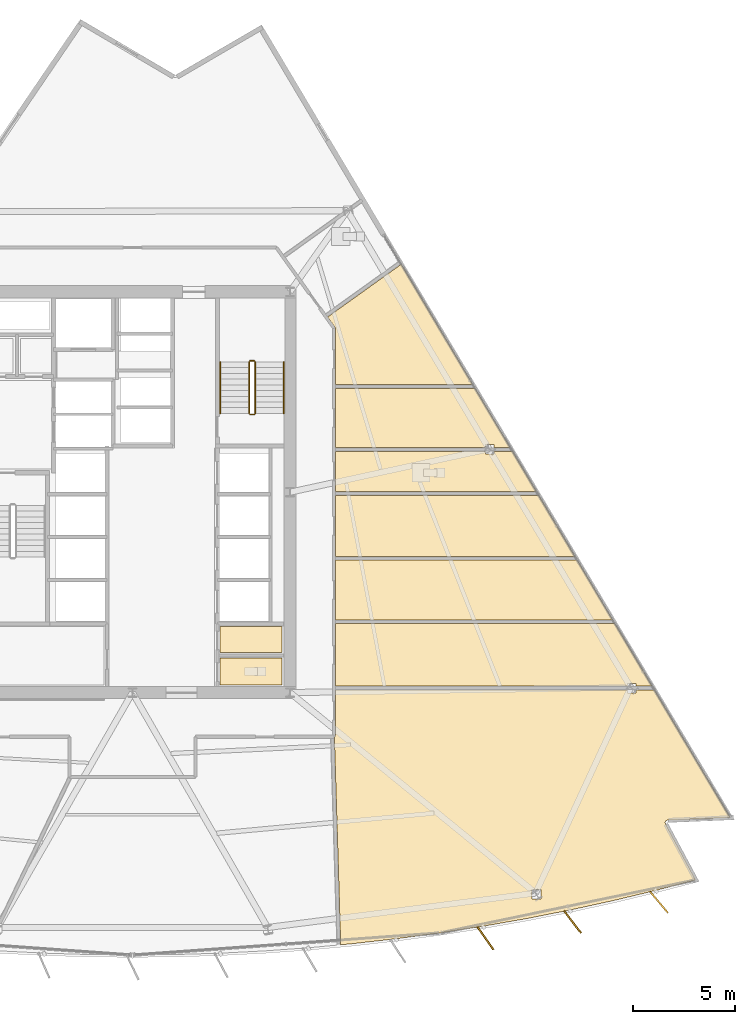
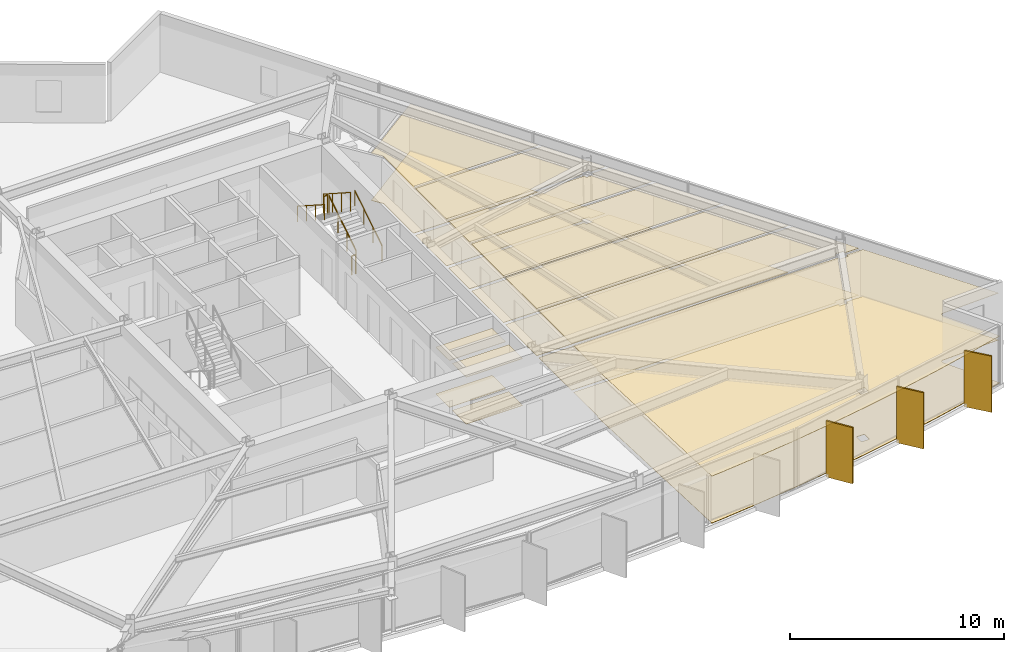
# One storey, part 15 of 17: 18 coverings, 6 railings, 3 shading devices.
"""IFC4 building model written with IfcOpenShell, lengths in metres."""

import ifcopenshell
import ifcopenshell.guid

model = None  # the IFC model being written
_history = None  # IfcOwnerHistory: only IFC2X3 demands one
_inside = {}  # id of a spatial element -> (the spatial element, [elements in it])
_under = {}  # id of a project, library or spatial element -> (it, [spatial elements below it])
_declared = {}  # id of a project -> (the project, [libraries it declares])
_typed = {}  # id of a type object -> (the type object, [elements of that type])
_made_of = {}  # id of a material, layer set ... -> (it, [elements and type objects made of it])


def new_model(schema):
    """Start an empty IFC model of exactly this schema.

    Asked for "IFC4X3", IfcOpenShell would pick the latest addendum, in which some entities
    have other attributes; the version numbers below select the first issue.
    IFC2X3 requires an IfcOwnerHistory on every rooted entity: one is made here for all.
    """
    global model, _history
    if schema == "IFC4X3":
        model = ifcopenshell.file(schema_version=(4, 3, 0, 0))
    else:
        model = ifcopenshell.file(schema=schema)
    _inside.clear()
    _under.clear()
    _declared.clear()
    _typed.clear()
    _made_of.clear()
    _history = None
    if model.schema == "IFC2X3":
        org = make("IfcOrganization", Name="unknown")
        user = make(
            "IfcPersonAndOrganization",
            ThePerson=make("IfcPerson", FamilyName="unknown"),
            TheOrganization=org,
        )
        app = make(
            "IfcApplication",
            ApplicationDeveloper=org,
            Version="unknown",
            ApplicationFullName="unknown",
            ApplicationIdentifier="unknown",
        )
        _history = make(
            "IfcOwnerHistory",
            OwningUser=user,
            OwningApplication=app,
            ChangeAction="ADDED",
            CreationDate=0,
        )
    return model


def make(cls, **values):
    """One entity of the class cls with the attributes given. An attribute that is None is left unset."""
    return model.create_entity(
        cls, **{name: value for name, value in values.items() if value is not None}
    )


def rooted(cls, **values):
    """An entity with a GlobalId (a new one), such as an element, a storey or a relation."""
    return make(cls, GlobalId=ifcopenshell.guid.new(), OwnerHistory=_history, **values)


def si_unit(unit_type, name, prefix=None):
    """IfcSIUnit, for example si_unit("LENGTHUNIT", "METRE", prefix="MILLI")."""
    return make("IfcSIUnit", UnitType=unit_type, Prefix=prefix, Name=name)


def assignment(units):
    """IfcUnitAssignment: the units of a project."""
    return None if units is None else make("IfcUnitAssignment", Units=units)


def point(xyz):
    """IfcCartesianPoint."""
    return None if xyz is None else make("IfcCartesianPoint", Coordinates=xyz)


def direction(xyz):
    """IfcDirection."""
    return None if xyz is None else make("IfcDirection", DirectionRatios=xyz)


def frame(location, z_axis=None, x_axis=None):
    """IfcAxis2Placement3D, a coordinate frame: its origin and axes. An axis left out is left unset."""
    return make(
        "IfcAxis2Placement3D",
        Location=point(location),
        Axis=direction(z_axis),
        RefDirection=direction(x_axis),
    )


def frame_2d(location, x_axis=None):
    """IfcAxis2Placement2D, a coordinate frame in the plane: its origin and x axis."""
    return make(
        "IfcAxis2Placement2D", Location=point(location), RefDirection=direction(x_axis)
    )


def origin():
    """The frame at (0, 0, 0) with its axes left unset."""
    return frame((0.0, 0.0, 0.0))


def origin_2d():
    """The frame at (0, 0) in the plane with its x axis left unset."""
    return frame_2d((0.0, 0.0))


def place(relative_to, where):
    """IfcLocalPlacement: puts the frame where relative to a parent placement (None: the world)."""
    return make(
        "IfcLocalPlacement", PlacementRelTo=relative_to, RelativePlacement=where
    )


def context(
    kind, dimensions, precision=None, world=None, true_north=None, identifier=None
):
    """IfcGeometricRepresentationContext, for example the 3D "Model" context."""
    return make(
        "IfcGeometricRepresentationContext",
        ContextIdentifier=identifier,
        ContextType=kind,
        CoordinateSpaceDimension=dimensions,
        Precision=precision,
        WorldCoordinateSystem=world,
        TrueNorth=true_north,
    )


def subcontext(parent, identifier, kind, view, scale=None):
    """IfcGeometricRepresentationSubContext, for example "Body" below "Model"."""
    return make(
        "IfcGeometricRepresentationSubContext",
        ContextIdentifier=identifier,
        ContextType=kind,
        ParentContext=parent,
        TargetScale=scale,
        TargetView=view,
    )


def project(units=None, contexts=None):
    """IfcProject with its units and contexts."""
    return rooted(
        "IfcProject",
        Name="project",
        RepresentationContexts=contexts,
        UnitsInContext=assignment(units),
    )


def spatial(cls, under=None, at=None, **own):
    """A site, building, storey or space (cls), placed at a placement, below another one or the project."""
    s = rooted(cls, ObjectPlacement=at, **own)
    if under is not None:
        _under.setdefault(under.id(), (under, []))[1].append(s)
    return s


def polyline(points):
    """IfcPolyline through the points."""
    return make("IfcPolyline", Points=[point(p) for p in points])


def profile(cls, at=None, kind="AREA", **sizes):
    """A parametric profile (cls). Its sizes go by their IFC names, for example OverallWidth=200.0."""
    return make(cls, ProfileType=kind, Position=at, **sizes)


def rectangle(**sizes):
    """IfcRectangleProfileDef."""
    return profile("IfcRectangleProfileDef", **sizes)


def circle(**sizes):
    """IfcCircleProfileDef."""
    return profile("IfcCircleProfileDef", **sizes)


def outline(outer, holes=None, kind="AREA"):
    """IfcArbitraryClosedProfileDef: a profile drawn as a closed curve; with holes, ...WithVoids."""
    if holes is None:
        return make("IfcArbitraryClosedProfileDef", ProfileType=kind, OuterCurve=outer)
    return make(
        "IfcArbitraryProfileDefWithVoids",
        ProfileType=kind,
        OuterCurve=outer,
        InnerCurves=holes,
    )


def extrude(swept, where, along, depth):
    """IfcExtrudedAreaSolid: the profile swept, set in the frame where, extruded along a direction by depth."""
    return make(
        "IfcExtrudedAreaSolid",
        SweptArea=swept,
        Position=where,
        ExtrudedDirection=direction(along),
        Depth=depth,
    )


def shape(context_of_items, identifier, shape_type, items):
    """IfcShapeRepresentation: the items that make up one representation, for example the "Body"."""
    return make(
        "IfcShapeRepresentation",
        ContextOfItems=context_of_items,
        RepresentationIdentifier=identifier,
        RepresentationType=shape_type,
        Items=items,
    )


def material(Name=None, Category=None):
    """IfcMaterial."""
    return make("IfcMaterial", Name=Name, Category=Category)


def layer(
    of_material, thickness, ventilated=None, Name=None, Category=None, Priority=None
):
    """IfcMaterialLayer: one layer of a wall or slab, of a material (None: an air gap)."""
    return make(
        "IfcMaterialLayer",
        Material=of_material,
        LayerThickness=thickness,
        IsVentilated=ventilated,
        Name=Name,
        Category=Category,
        Priority=Priority,
    )


def layer_set(layers, Name=None):
    """IfcMaterialLayerSet."""
    return make("IfcMaterialLayerSet", MaterialLayers=layers, LayerSetName=Name)


def made_of(thing, what):
    """Note that an element or type object is made of a material, layer set ...; save() writes the relation."""
    if what is not None:
        _made_of.setdefault(what.id(), (what, []))[1].append(thing)
    return thing


def type_object(cls, material=None, **own):
    """A type object (cls), such as IfcWallType, which elements share."""
    return made_of(rooted(cls, **own), material)


def element(
    cls,
    number,
    at=None,
    inside=None,
    cuts=None,
    type_object=None,
    material=None,
    context=None,
    identifier="Body",
    shape_type=None,
    held_by="IfcProductDefinitionShape",
    body=None,
    shapes=None,
    **own,
):
    """One element of the class cls, such as IfcWall. Its Tag is "e" and its number.

    at: its placement. inside: the storey or other place that contains it. cuts: it is an
    opening in that element (IfcRelVoidsElement). A single representation is given by context,
    identifier, shape_type and body (its items); several are given by shapes. held_by: the class
    of the entity that holds the representations. save() writes the other relations.
    """
    e = rooted(cls, Tag="e%d" % number, ObjectPlacement=at, **own)
    if body is not None:
        shapes = [shape(context, identifier, shape_type, body)]
    if shapes is not None:
        e.Representation = make(held_by, Representations=shapes)
    if inside is not None:
        _inside.setdefault(inside.id(), (inside, []))[1].append(e)
    if cuts is not None:
        rooted(
            "IfcRelVoidsElement", RelatingBuildingElement=cuts, RelatedOpeningElement=e
        )
    if type_object is not None:
        _typed.setdefault(type_object.id(), (type_object, []))[1].append(e)
    return made_of(e, material)


def aggregate(whole, parts):
    """IfcRelAggregates: a whole, such as a stair, and the parts it consists of."""
    return rooted("IfcRelAggregates", RelatingObject=whole, RelatedObjects=parts)


def save(model, path):
    """Write the relations noted so far, then the file.

    IfcRelAggregates (storeys below a building ...), IfcRelContainedInSpatialStructure (elements
    in a storey), IfcRelDefinesByType, IfcRelAssociatesMaterial and IfcRelDeclares: one each for
    every whole, place, type object, material and project.
    """
    for whole, parts in _under.values():
        aggregate(whole, parts)
    for where, things in _inside.values():
        rooted(
            "IfcRelContainedInSpatialStructure",
            RelatedElements=things,
            RelatingStructure=where,
        )
    for kind, things in _typed.values():
        rooted("IfcRelDefinesByType", RelatedObjects=things, RelatingType=kind)
    for what, things in _made_of.values():
        rooted("IfcRelAssociatesMaterial", RelatedObjects=things, RelatingMaterial=what)
    for by, libraries in _declared.values():
        rooted("IfcRelDeclares", RelatingContext=by, RelatedDefinitions=libraries)
    model.write(path)


model = new_model("IFC4")

# Units and contexts
model_context = context("Model", 3, precision=1e-05, world=origin(), true_north=direction((0.0, 1.0)))
body_context = subcontext(model_context, "Body", "Model", "MODEL_VIEW")
ifc_project = project(units=[si_unit("LENGTHUNIT", "METRE"), si_unit("AREAUNIT", "SQUARE_METRE"), si_unit("VOLUMEUNIT", "CUBIC_METRE"), si_unit("PLANEANGLEUNIT", "RADIAN"), si_unit("MASSUNIT", "GRAM", prefix="KILO")], contexts=[model_context])

# Site, building, storey
site_placement = place(None, origin())
site = spatial("IfcSite", under=ifc_project, at=site_placement, CompositionType="ELEMENT")
building_placement = place(site_placement, origin())
building = spatial("IfcBuilding", under=site, at=building_placement, Name="Savorim Split Tower", CompositionType="ELEMENT")
storey_placement = place(building_placement, frame((0.0, 0.0, 55.199951171875)))
storey = spatial("IfcBuildingStorey", under=building, at=storey_placement, Name="L14", CompositionType="ELEMENT", Elevation=55.199951171875)

# Coverings
ifc_material_1 = material(Name="Mineral Fibre Acoustic Ceiling")
ifc_layer_1 = layer(ifc_material_1, 0.02490234375)
ifc_layer_set_1 = layer_set([ifc_layer_1], Name="COV-CEIL-25")
covering_type_1 = type_object("IfcCoveringType", Name="COV-CEIL-25", PredefinedType="CEILING", material=ifc_layer_set_1)
covering_1_placement = place(storey_placement, frame((0.0, 0.0, 2.670166015625)))
element("IfcCovering", 1, at=covering_1_placement, inside=storey, type_object=covering_type_1, Name="L14 Accessible WC Acoustic Ceiling", PredefinedType="CEILING", context=body_context, shape_type="SweptSolid", body=[
    extrude(outline(polyline([(4.280029296875, -7.719970703125), (4.280029296875, -9.02001953125), (7.320068359375, -9.02001953125), (7.320068359375, -7.719970703125), (4.280029296875, -7.719970703125)])), origin(), (0.0, 0.0, 1.0), 0.02490234375),
])
covering_2_placement = place(storey_placement, frame((0.0, 0.0, 2.670166015625)))
element("IfcCovering", 2, at=covering_2_placement, inside=storey, type_object=covering_type_1, Name="L14 Cleaning Store Acoustic Ceiling", PredefinedType="CEILING", context=body_context, shape_type="SweptSolid", body=[
    extrude(outline(polyline([(4.280029296875, -6.179931640625), (4.280029296875, -7.43994140625), (7.320068359375, -7.43994140625), (7.320068359375, -6.179931640625), (4.280029296875, -6.179931640625)])), origin(), (0.0, 0.0, 1.0), 0.02490234375),
])
covering_3_placement = place(storey_placement, frame((0.0, 0.0, 2.670166015625)))
element("IfcCovering", 3, at=covering_3_placement, inside=storey, type_object=covering_type_1, Name="L14 Co-Working Commons Acoustic Ceiling", PredefinedType="CEILING", context=body_context, shape_type="SweptSolid", body=[
    extrude(outline(polyline([(26.14453125, -15.643798828125), (26.15576171875, -15.6416015625), (26.167236328125, -15.640380859375), (29.23046875, -15.51025390625), (25.50537109375, -9.24560546875), (25.50537109375, -9.27880859375), (24.63037109375, -9.27880859375), (24.63037109375, -9.4111328125), (24.1982421875, -9.4111328125), (24.1982421875, -9.27880859375), (9.919921875, -9.27880859375), (9.919921875, -11.47998046875), (9.919189453125, -11.49365234375), (9.917236328125, -11.50732421875), (9.9140625, -11.5205078125), (9.9091796875, -11.53369140625), (9.903564453125, -11.5458984375), (9.896484375, -11.557861328125), (9.88818359375, -11.56884765625), (9.87890625, -11.5791015625), (9.873779296875, -11.58349609375), (10.18359375, -21.732421875), (10.756591796875, -21.6796875), (12.898193359375, -21.4375), (15.0341796875, -21.15185546875), (17.163818359375, -20.822265625), (19.286376953125, -20.44921875), (21.40087890625, -20.032958984375), (23.50634765625, -19.573486328125), (25.601806640625, -19.071044921875), (27.54052734375, -18.564208984375), (26.066650390625, -15.817138671875), (26.061767578125, -15.806640625), (26.057861328125, -15.7958984375), (26.054931640625, -15.78466796875), (26.052978515625, -15.773193359375), (26.052490234375, -15.76171875), (26.052734375, -15.750244140625), (26.054443359375, -15.73876953125), (26.056884765625, -15.7275390625), (26.060791015625, -15.716552734375), (26.0654296875, -15.7060546875), (26.071044921875, -15.696044921875), (26.077880859375, -15.6865234375), (26.085205078125, -15.677978515625), (26.093505859375, -15.669921875), (26.102783203125, -15.66259765625), (26.1123046875, -15.656494140625), (26.122802734375, -15.651123046875), (26.13330078125, -15.64697265625), (26.14453125, -15.643798828125)]), holes=[polyline([(19.96875, -19.4931640625), (19.96875, -19.0380859375), (19.53662109375, -19.0380859375), (19.53662109375, -19.4931640625), (19.96875, -19.4931640625)])]), origin(), (0.0, 0.0, 1.0), 0.02490234375),
])
covering_4_placement = place(storey_placement, frame((0.0, 0.0, 2.670166015625)))
element("IfcCovering", 4, at=covering_4_placement, inside=storey, type_object=covering_type_1, Name="L14 Quiet Study Room Acoustic Ceiling", PredefinedType="CEILING", context=body_context, shape_type="SweptSolid", body=[
    extrude(outline(polyline([(24.63037109375, -8.956298828125), (24.63037109375, -9.088623046875), (25.410400390625, -9.088623046875), (25.412109375, -9.088623046875), (23.594482421875, -6.0322265625), (9.919921875, -6.0322265625), (9.919921875, -9.088623046875), (24.1982421875, -9.088623046875), (24.1982421875, -8.956298828125), (24.63037109375, -8.956298828125)])), origin(), (0.0, 0.0, 1.0), 0.02490234375),
])
covering_5_placement = place(storey_placement, frame((0.0, 0.0, 2.670166015625)))
element("IfcCovering", 5, at=covering_5_placement, inside=storey, type_object=covering_type_1, Name="L14 Quiet Study Room Acoustic Ceiling", PredefinedType="CEILING", context=body_context, shape_type="SweptSolid", body=[
    extrude(outline(polyline([(23.481689453125, -5.84228515625), (21.74853515625, -2.927734375), (9.919921875, -2.927734375), (9.919921875, -5.84228515625), (23.481689453125, -5.84228515625)])), origin(), (0.0, 0.0, 1.0), 0.02490234375),
])
covering_6_placement = place(storey_placement, frame((0.0, 0.0, 2.670166015625)))
element("IfcCovering", 6, at=covering_6_placement, inside=storey, type_object=covering_type_1, Name="L14 Quiet Study Room Acoustic Ceiling", PredefinedType="CEILING", context=body_context, shape_type="SweptSolid", body=[
    extrude(outline(polyline([(21.635498046875, -2.73779296875), (19.8603515625, 0.247802734375), (9.919921875, 0.247802734375), (9.919921875, -2.73779296875), (21.635498046875, -2.73779296875)])), origin(), (0.0, 0.0, 1.0), 0.02490234375),
])
covering_7_placement = place(storey_placement, frame((0.0, 0.0, 2.670166015625)))
element("IfcCovering", 7, at=covering_7_placement, inside=storey, type_object=covering_type_1, Name="L14 Shared Bathroom Acoustic Ceiling", PredefinedType="CEILING", context=body_context, shape_type="SweptSolid", body=[
    extrude(outline(polyline([(17.25439453125, 2.26708984375), (17.25439453125, 2.3994140625), (9.919921875, 2.3994140625), (9.919921875, 0.437744140625), (19.747314453125, 0.437744140625), (18.561279296875, 2.4326171875), (18.561279296875, 2.3994140625), (17.686279296875, 2.3994140625), (17.686279296875, 2.26708984375), (17.25439453125, 2.26708984375)])), origin(), (0.0, 0.0, 1.0), 0.02490234375),
])
covering_8_placement = place(storey_placement, frame((0.0, 0.0, 2.670166015625)))
element("IfcCovering", 8, at=covering_8_placement, inside=storey, type_object=covering_type_1, Name="L14 Maker Workshop Acoustic Ceiling", PredefinedType="CEILING", context=body_context, shape_type="SweptSolid", body=[
    extrude(outline(polyline([(17.686279296875, 2.721923828125), (17.686279296875, 2.589599609375), (18.46630859375, 2.589599609375), (18.468017578125, 2.589599609375), (16.754638671875, 5.470703125), (9.919921875, 5.470703125), (9.919921875, 2.589599609375), (17.25439453125, 2.589599609375), (17.25439453125, 2.721923828125), (17.686279296875, 2.721923828125)])), origin(), (0.0, 0.0, 1.0), 0.02490234375),
])
covering_9_placement = place(storey_placement, frame((0.0, 0.0, 2.670166015625)))
element("IfcCovering", 9, at=covering_9_placement, inside=storey, type_object=covering_type_1, Name="L14 Quiet Study Room Acoustic Ceiling", PredefinedType="CEILING", context=body_context, shape_type="SweptSolid", body=[
    extrude(outline(polyline([(9.9169921875, 8.4287109375), (9.919189453125, 8.41455078125), (9.919921875, 8.39990234375), (9.919921875, 5.66064453125), (16.641845703125, 5.66064453125), (13.14208984375, 11.5458984375), (9.544921875, 8.968505859375), (9.893798828125, 8.4814453125), (9.901611328125, 8.46923828125), (9.908203125, 8.456298828125), (9.913330078125, 8.44287109375), (9.9169921875, 8.4287109375)])), origin(), (0.0, 0.0, 1.0), 0.02490234375),
])
ifc_material_2 = material(Name="Porcelain Stoneware Flooring", Category="masonry")
ifc_layer_2 = layer(ifc_material_2, 0.02001953125)
ifc_layer_set_2 = layer_set([ifc_layer_2], Name="COV-FLOR-20")
covering_type_2 = type_object("IfcCoveringType", Name="COV-FLOR-20", PredefinedType="FLOORING", material=ifc_layer_set_2)
covering_10_placement = place(storey_placement, origin())
element("IfcCovering", 10, at=covering_10_placement, inside=storey, type_object=covering_type_2, Name="L14 Accessible WC Porcelain Flooring", PredefinedType="FLOORING", context=body_context, shape_type="SweptSolid", body=[
    extrude(outline(polyline([(4.280029296875, -7.719970703125), (4.280029296875, -9.02001953125), (7.320068359375, -9.02001953125), (7.320068359375, -7.719970703125), (4.280029296875, -7.719970703125)])), origin(), (0.0, 0.0, 1.0), 0.02001953125),
])
covering_11_placement = place(storey_placement, origin())
element("IfcCovering", 11, at=covering_11_placement, inside=storey, type_object=covering_type_2, Name="L14 Cleaning Store Porcelain Flooring", PredefinedType="FLOORING", context=body_context, shape_type="SweptSolid", body=[
    extrude(outline(polyline([(4.280029296875, -6.179931640625), (4.280029296875, -7.43994140625), (7.320068359375, -7.43994140625), (7.320068359375, -6.179931640625), (4.280029296875, -6.179931640625)])), origin(), (0.0, 0.0, 1.0), 0.02001953125),
])
covering_12_placement = place(storey_placement, origin())
element("IfcCovering", 12, at=covering_12_placement, inside=storey, type_object=covering_type_2, Name="L14 Co-Working Commons Porcelain Flooring", PredefinedType="FLOORING", context=body_context, shape_type="SweptSolid", body=[
    extrude(outline(polyline([(26.14453125, -15.643798828125), (26.15576171875, -15.6416015625), (26.167236328125, -15.640380859375), (29.23046875, -15.51025390625), (25.50537109375, -9.24560546875), (25.50537109375, -9.27880859375), (24.63037109375, -9.27880859375), (24.63037109375, -9.4111328125), (24.1982421875, -9.4111328125), (24.1982421875, -9.27880859375), (9.919921875, -9.27880859375), (9.919921875, -11.47998046875), (9.919189453125, -11.49365234375), (9.917236328125, -11.50732421875), (9.9140625, -11.5205078125), (9.9091796875, -11.53369140625), (9.903564453125, -11.5458984375), (9.896484375, -11.557861328125), (9.88818359375, -11.56884765625), (9.87890625, -11.5791015625), (9.873779296875, -11.58349609375), (10.18359375, -21.732421875), (10.756591796875, -21.6796875), (12.898193359375, -21.4375), (15.0341796875, -21.15185546875), (17.163818359375, -20.822265625), (19.286376953125, -20.44921875), (21.40087890625, -20.032958984375), (23.50634765625, -19.573486328125), (25.601806640625, -19.071044921875), (27.54052734375, -18.564208984375), (26.066650390625, -15.817138671875), (26.061767578125, -15.806640625), (26.057861328125, -15.7958984375), (26.054931640625, -15.78466796875), (26.052978515625, -15.773193359375), (26.052490234375, -15.76171875), (26.052734375, -15.750244140625), (26.054443359375, -15.73876953125), (26.056884765625, -15.7275390625), (26.060791015625, -15.716552734375), (26.0654296875, -15.7060546875), (26.071044921875, -15.696044921875), (26.077880859375, -15.6865234375), (26.085205078125, -15.677978515625), (26.093505859375, -15.669921875), (26.102783203125, -15.66259765625), (26.1123046875, -15.656494140625), (26.122802734375, -15.651123046875), (26.13330078125, -15.64697265625), (26.14453125, -15.643798828125)]), holes=[polyline([(19.96875, -19.4931640625), (19.96875, -19.0380859375), (19.53662109375, -19.0380859375), (19.53662109375, -19.4931640625), (19.96875, -19.4931640625)])]), origin(), (0.0, 0.0, 1.0), 0.02001953125),
])
covering_13_placement = place(storey_placement, origin())
element("IfcCovering", 13, at=covering_13_placement, inside=storey, type_object=covering_type_2, Name="L14 Quiet Study Room Porcelain Flooring", PredefinedType="FLOORING", context=body_context, shape_type="SweptSolid", body=[
    extrude(outline(polyline([(24.63037109375, -8.956298828125), (24.63037109375, -9.088623046875), (25.410400390625, -9.088623046875), (25.412109375, -9.088623046875), (23.594482421875, -6.0322265625), (9.919921875, -6.0322265625), (9.919921875, -9.088623046875), (24.1982421875, -9.088623046875), (24.1982421875, -8.956298828125), (24.63037109375, -8.956298828125)])), origin(), (0.0, 0.0, 1.0), 0.02001953125),
])
covering_14_placement = place(storey_placement, origin())
element("IfcCovering", 14, at=covering_14_placement, inside=storey, type_object=covering_type_2, Name="L14 Quiet Study Room Porcelain Flooring", PredefinedType="FLOORING", context=body_context, shape_type="SweptSolid", body=[
    extrude(outline(polyline([(23.481689453125, -5.84228515625), (21.74853515625, -2.927734375), (9.919921875, -2.927734375), (9.919921875, -5.84228515625), (23.481689453125, -5.84228515625)])), origin(), (0.0, 0.0, 1.0), 0.02001953125),
])
covering_15_placement = place(storey_placement, origin())
element("IfcCovering", 15, at=covering_15_placement, inside=storey, type_object=covering_type_2, Name="L14 Quiet Study Room Porcelain Flooring", PredefinedType="FLOORING", context=body_context, shape_type="SweptSolid", body=[
    extrude(outline(polyline([(21.635498046875, -2.73779296875), (19.8603515625, 0.247802734375), (9.919921875, 0.247802734375), (9.919921875, -2.73779296875), (21.635498046875, -2.73779296875)])), origin(), (0.0, 0.0, 1.0), 0.02001953125),
])
covering_16_placement = place(storey_placement, origin())
element("IfcCovering", 16, at=covering_16_placement, inside=storey, type_object=covering_type_2, Name="L14 Shared Bathroom Porcelain Flooring", PredefinedType="FLOORING", context=body_context, shape_type="SweptSolid", body=[
    extrude(outline(polyline([(17.25439453125, 2.26708984375), (17.25439453125, 2.3994140625), (9.919921875, 2.3994140625), (9.919921875, 0.437744140625), (19.747314453125, 0.437744140625), (18.561279296875, 2.4326171875), (18.561279296875, 2.3994140625), (17.686279296875, 2.3994140625), (17.686279296875, 2.26708984375), (17.25439453125, 2.26708984375)])), origin(), (0.0, 0.0, 1.0), 0.02001953125),
])
covering_17_placement = place(storey_placement, origin())
element("IfcCovering", 17, at=covering_17_placement, inside=storey, type_object=covering_type_2, Name="L14 Maker Workshop Porcelain Flooring", PredefinedType="FLOORING", context=body_context, shape_type="SweptSolid", body=[
    extrude(outline(polyline([(17.686279296875, 2.721923828125), (17.686279296875, 2.589599609375), (18.46630859375, 2.589599609375), (18.468017578125, 2.589599609375), (16.754638671875, 5.470703125), (9.919921875, 5.470703125), (9.919921875, 2.589599609375), (17.25439453125, 2.589599609375), (17.25439453125, 2.721923828125), (17.686279296875, 2.721923828125)])), origin(), (0.0, 0.0, 1.0), 0.02001953125),
])
covering_18_placement = place(storey_placement, origin())
element("IfcCovering", 18, at=covering_18_placement, inside=storey, type_object=covering_type_2, Name="L14 Quiet Study Room Porcelain Flooring", PredefinedType="FLOORING", context=body_context, shape_type="SweptSolid", body=[
    extrude(outline(polyline([(9.9169921875, 8.4287109375), (9.919189453125, 8.41455078125), (9.919921875, 8.39990234375), (9.919921875, 5.66064453125), (16.641845703125, 5.66064453125), (13.14208984375, 11.5458984375), (9.544921875, 8.968505859375), (9.893798828125, 8.4814453125), (9.901611328125, 8.46923828125), (9.908203125, 8.456298828125), (9.913330078125, 8.44287109375), (9.9169921875, 8.4287109375)])), origin(), (0.0, 0.0, 1.0), 0.02001953125),
])

# Railings
ifc_material_3 = material(Name="Galvanised Painted Steel Balustrade", Category="steel")
railing_type_1 = type_object("IfcRailingType", Name="RLG-HR-900", PredefinedType="HANDRAIL", material=ifc_material_3)
railing_1_placement = place(storey_placement, frame((7.39990234375, 4.25, 0.179931640625)))
element("IfcRailing", 19, at=railing_1_placement, inside=storey, type_object=railing_type_1, Name="L14 ST-2 stair handrail 1", PredefinedType="HANDRAIL", context=body_context, shape_type="SweptSolid", body=[
    extrude(circle(Radius=0.02392578125, at=origin_2d()), frame((0.0, 0.0, 0.8759765625), z_axis=(0.0, 0.841162588446, 0.540782303519), x_axis=(-1.0, 0.0, 0.0)), (0.0, 0.0, 1.0), 2.995849609375),
    extrude(circle(Radius=0.02099609375, at=origin_2d()), origin(), (0.0, 0.0, 1.0), 0.851806640625),
    extrude(circle(Radius=0.02099609375, at=origin_2d()), frame((0.0, 0.840087890625, 0.5400390625)), (0.0, 0.0, 1.0), 0.851806640625),
    extrude(circle(Radius=0.02099609375, at=origin_2d()), frame((0.0, 1.679931640625, 1.080078125)), (0.0, 0.0, 1.0), 0.851806640625),
    extrude(circle(Radius=0.02099609375, at=origin_2d()), frame((0.0, 2.52001953125, 1.6201171875)), (0.0, 0.0, 1.0), 0.851806640625),
])
railing_2_placement = place(storey_placement, frame((4.300048828125, 6.77001953125, 1.97998046875)))
element("IfcRailing", 20, at=railing_2_placement, inside=storey, type_object=railing_type_1, Name="L14 ST-2 stair handrail 2", PredefinedType="HANDRAIL", context=body_context, shape_type="SweptSolid", body=[
    extrude(circle(Radius=0.02392578125, at=origin_2d()), frame((0.0, 0.0, 0.8759765625), z_axis=(0.0, -0.841162588446, 0.540782303519), x_axis=(1.0, 0.0, 0.0)), (0.0, 0.0, 1.0), 2.995849609375),
    extrude(circle(Radius=0.02099609375, at=origin_2d()), origin(), (0.0, 0.0, 1.0), 0.851806640625),
    extrude(circle(Radius=0.02099609375, at=origin_2d()), frame((0.0, -0.840087890625, 0.5400390625)), (0.0, 0.0, 1.0), 0.851806640625),
    extrude(circle(Radius=0.02099609375, at=origin_2d()), frame((0.0, -1.679931640625, 1.080078125)), (0.0, 0.0, 1.0), 0.851806640625),
    extrude(circle(Radius=0.02099609375, at=origin_2d()), frame((0.0, -2.52001953125, 1.6201171875)), (0.0, 0.0, 1.0), 0.851806640625),
])
railing_type_2 = type_object("IfcRailingType", Name="RLG-STG-1100", PredefinedType="BALUSTRADE", material=ifc_material_3)
railing_3_placement = place(storey_placement, frame((6.0, 4.25, 0.179931640625)))
element("IfcRailing", 21, at=railing_3_placement, inside=storey, type_object=railing_type_2, Name="L14 ST-2 stair guard 1", PredefinedType="BALUSTRADE", context=body_context, shape_type="SweptSolid", body=[
    extrude(circle(Radius=0.02392578125, at=origin_2d()), frame((0.0, 0.0, 1.076171875), z_axis=(0.0, 0.841162588446, 0.540782303519), x_axis=(-1.0, 0.0, 0.0)), (0.0, 0.0, 1.0), 2.995849609375),
    extrude(circle(Radius=0.02099609375, at=origin_2d()), origin(), (0.0, 0.0, 1.0), 1.052001953125),
    extrude(circle(Radius=0.02099609375, at=origin_2d()), frame((0.0, 0.840087890625, 0.5400390625)), (0.0, 0.0, 1.0), 1.052001953125),
    extrude(circle(Radius=0.02099609375, at=origin_2d()), frame((0.0, 1.679931640625, 1.080078125)), (0.0, 0.0, 1.0), 1.052001953125),
    extrude(circle(Radius=0.02099609375, at=origin_2d()), frame((0.0, 2.52001953125, 1.6201171875)), (0.0, 0.0, 1.0), 1.052001953125),
])
railing_4_placement = place(storey_placement, frame((5.949951171875, 6.820068359375, 1.800048828125)))
element("IfcRailing", 22, at=railing_4_placement, inside=storey, type_object=railing_type_2, Name="L14 ST-2 stair guard 2", PredefinedType="BALUSTRADE", context=body_context, shape_type="SweptSolid", body=[
    extrude(circle(Radius=0.02392578125, at=origin_2d()), frame((0.0, 0.0, 1.076171875), z_axis=(-1.0, 0.0, 0.0), x_axis=(0.0, -1.0, 0.0)), (0.0, 0.0, 1.0), 0.199951171875),
    extrude(circle(Radius=0.02099609375, at=origin_2d()), origin(), (0.0, 0.0, 1.0), 1.052001953125),
    extrude(circle(Radius=0.02099609375, at=origin_2d()), frame((-0.199951171875, 0.0, 0.0)), (0.0, 0.0, 1.0), 1.052001953125),
])
railing_5_placement = place(storey_placement, frame((5.699951171875, 6.77001953125, 1.97998046875)))
element("IfcRailing", 23, at=railing_5_placement, inside=storey, type_object=railing_type_2, Name="L14 ST-2 stair guard 3", PredefinedType="BALUSTRADE", context=body_context, shape_type="SweptSolid", body=[
    extrude(circle(Radius=0.02392578125, at=origin_2d()), frame((0.0, 0.0, 1.076171875), z_axis=(0.0, -0.841162588446, 0.540782303519), x_axis=(1.0, 0.0, 0.0)), (0.0, 0.0, 1.0), 2.995849609375),
    extrude(circle(Radius=0.02099609375, at=origin_2d()), origin(), (0.0, 0.0, 1.0), 1.052001953125),
    extrude(circle(Radius=0.02099609375, at=origin_2d()), frame((0.0, -0.840087890625, 0.5400390625)), (0.0, 0.0, 1.0), 1.052001953125),
    extrude(circle(Radius=0.02099609375, at=origin_2d()), frame((0.0, -1.679931640625, 1.080078125)), (0.0, 0.0, 1.0), 1.052001953125),
    extrude(circle(Radius=0.02099609375, at=origin_2d()), frame((0.0, -2.52001953125, 1.6201171875)), (0.0, 0.0, 1.0), 1.052001953125),
])
railing_6_placement = place(storey_placement, frame((5.949951171875, 4.199951171875, 0.0)))
element("IfcRailing", 24, at=railing_6_placement, inside=storey, type_object=railing_type_2, Name="L14 ST-2 stair guard 4", PredefinedType="BALUSTRADE", context=body_context, shape_type="SweptSolid", body=[
    extrude(circle(Radius=0.02392578125, at=origin_2d()), frame((0.0, 0.0, 1.076171875), z_axis=(-1.0, 0.0, 0.0), x_axis=(0.0, -1.0, 0.0)), (0.0, 0.0, 1.0), 0.199951171875),
    extrude(circle(Radius=0.02099609375, at=origin_2d()), origin(), (0.0, 0.0, 1.0), 1.052001953125),
    extrude(circle(Radius=0.02099609375, at=origin_2d()), frame((-0.199951171875, 0.0, 0.0)), (0.0, 0.0, 1.0), 1.052001953125),
])

# Shading devices
ifc_material_4 = material(Name="Terracotta Ceramic-Coated Aluminium Fin", Category="masonry")
shading_device_type = type_object("IfcShadingDeviceType", Name="SHD-FIN-1360", PredefinedType="USERDEFINED", material=ifc_material_4)
for number, where, z_axis, x_axis, name in (
    (25, (17.260986328125, -21.410400390625, -0.19970703125), (0.0, 0.0, 1.0), (0.578993757737, -0.815331974414, 0.0), "L14 Sawtooth Shading Fin 11"),
    (26, (21.52197265625, -20.61669921875, -0.19970703125), (0.0, 0.0, 1.0), (0.611868076908, -0.790959832394, 0.0), "L14 Sawtooth Shading Fin 12"),
    (27, (25.746826171875, -19.649169921875, -0.19970703125), (0.0, 0.0, 1.0), (0.643719022682, -0.765261928909, 0.0), "L14 Sawtooth Shading Fin 13"),
):
    element("IfcShadingDevice", number, at=place(storey_placement, frame(where, z_axis=z_axis, x_axis=x_axis)), inside=storey, type_object=shading_device_type, Name=name, ObjectType="FIN", PredefinedType="USERDEFINED", context=body_context, shape_type="SweptSolid", body=[
        extrude(rectangle(XDim=1.360107421875, YDim=0.080078125, at=origin_2d()), origin(), (0.0, 0.0, 1.0), 3.199951171875),
    ])

save(model, "model.ifc")
